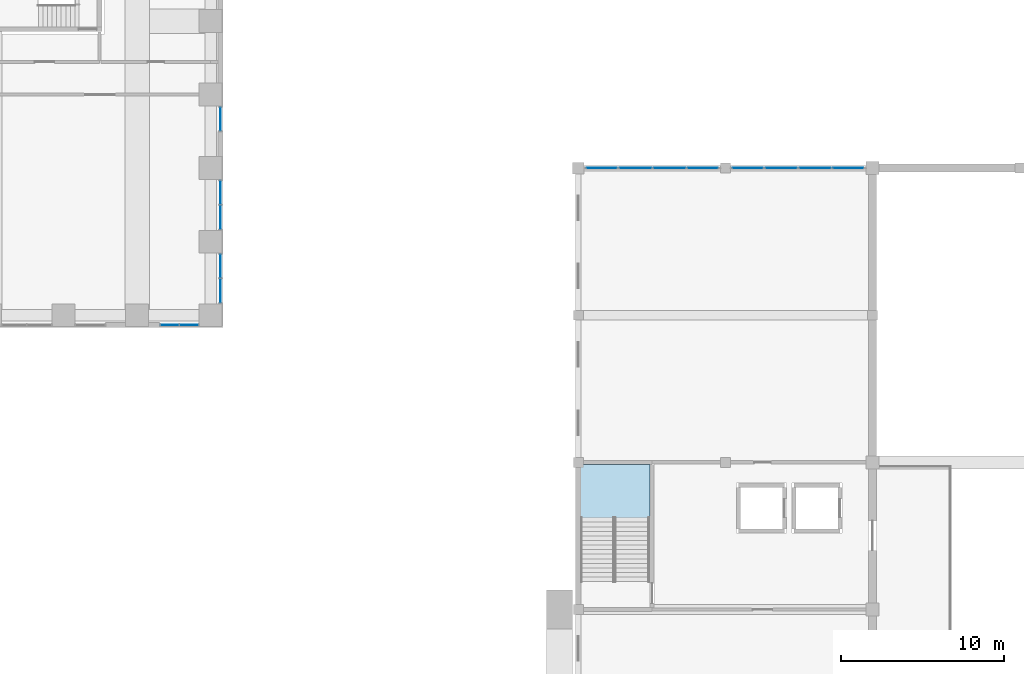
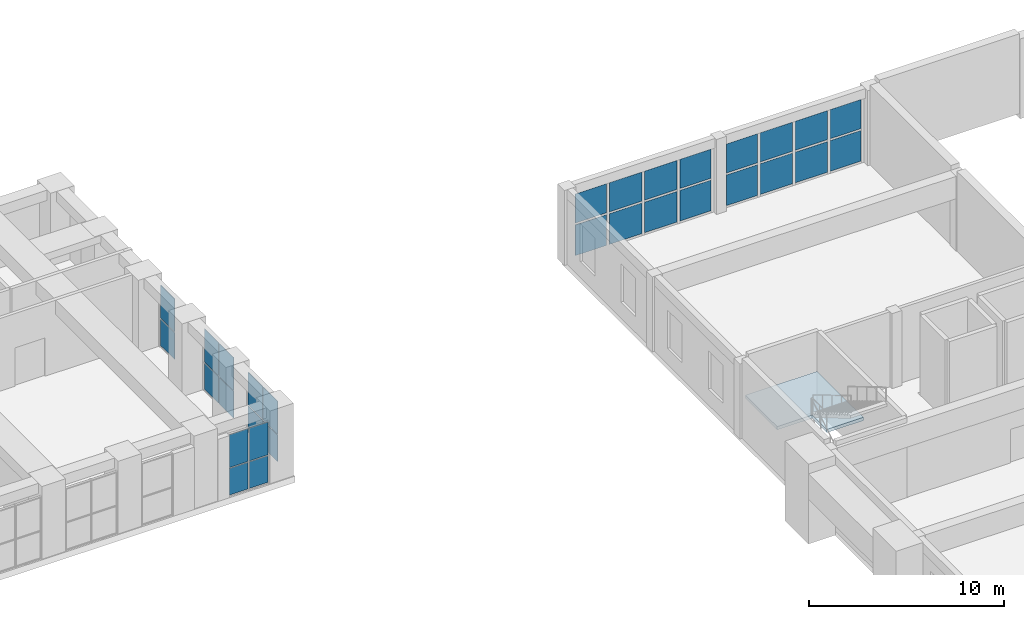
# One storey, part 16 of 34: 30 plates, 1 slab, 7 elements without a shape of their own.
"""IFC4 building model written with IfcOpenShell, lengths in metres."""

from ifc_helpers import new_model, si_unit, direction, frame, origin, origin_2d, place, context, subcontext, project, spatial, polyline, rectangle, outline, extrude, material, layer, layer_set, type_object, element, aggregate, save


model = new_model("IFC4")

# Units and contexts
model_context = context("Model", 3, precision=1e-05, world=origin(), true_north=direction((0.0, 1.0)))
body_context = subcontext(model_context, "Body", "Model", "MODEL_VIEW")
ifc_project = project(units=[si_unit("LENGTHUNIT", "METRE"), si_unit("AREAUNIT", "SQUARE_METRE"), si_unit("VOLUMEUNIT", "CUBIC_METRE"), si_unit("PLANEANGLEUNIT", "RADIAN"), si_unit("MASSUNIT", "GRAM", prefix="KILO")], contexts=[model_context])

# Site, building, storey
site_placement = place(None, origin())
site = spatial("IfcSite", under=ifc_project, at=site_placement, CompositionType="ELEMENT")
building_placement = place(site_placement, origin())
building = spatial("IfcBuilding", under=site, at=building_placement, Name="Firuza Court", CompositionType="ELEMENT")
storey_placement = place(building_placement, frame((0.0, 0.0, 19.0)))
storey = spatial("IfcBuildingStorey", under=building, at=storey_placement, Name="L03", CompositionType="ELEMENT", Elevation=19.0)

# Curtain wall, plates
ifc_material_1 = material(Name="Aluminium", Category="aluminium")
curtain_wall_type_1 = type_object("IfcCurtainWallType", Name="CW6 FOYER CURTAIN WALL", PredefinedType="NOTDEFINED", material=ifc_material_1)
curtain_wall_1_placement = place(storey_placement, origin())
curtain_wall_1 = element("IfcCurtainWall", 1, at=curtain_wall_1_placement, inside=storey, type_object=curtain_wall_type_1, Name="CW6 foyer curtain wall 9", PredefinedType="NOTDEFINED")
ifc_material_2 = material(Name="Glass", Category="glass")
ifc_layer_1 = layer(ifc_material_2, 0.028076171875)
ifc_layer_set_1 = layer_set([ifc_layer_1], Name="Glass")
plate_type_1 = type_object("IfcPlateType", Name="CW6 GLASS PANEL 28", PredefinedType="CURTAIN_PANEL", material=ifc_layer_set_1)
plate_1_placement = place(storey_placement, frame((91.433837890625, 45.0, 0.1201171875), z_axis=(0.0, 0.0, 1.0), x_axis=(1.0, 0.0, 0.0)))
plate_1 = element("IfcPlate", 2, at=plate_1_placement, type_object=plate_type_1, Name="CW6 panel 1.1", PredefinedType="CURTAIN_PANEL", context=body_context, shape_type="SweptSolid", body=[
    extrude(rectangle(XDim=1.847412109375, YDim=0.028076171875, at=origin_2d()), origin(), (0.0, 0.0, 1.0), 1.919921875),
])
plate_2_placement = place(storey_placement, frame((91.433837890625, 45.0, 2.16015625), z_axis=(0.0, 0.0, 1.0), x_axis=(1.0, 0.0, 0.0)))
plate_2 = element("IfcPlate", 3, at=plate_2_placement, type_object=plate_type_1, Name="CW6 panel 1.2", PredefinedType="CURTAIN_PANEL", context=body_context, shape_type="SweptSolid", body=[
    extrude(rectangle(XDim=1.847412109375, YDim=0.028076171875, at=origin_2d()), origin(), (0.0, 0.0, 1.0), 1.820068359375),
])
plate_3_placement = place(storey_placement, frame((93.481201171875, 45.0, 0.1201171875), z_axis=(0.0, 0.0, 1.0), x_axis=(1.0, 0.0, 0.0)))
plate_3 = element("IfcPlate", 4, at=plate_3_placement, type_object=plate_type_1, Name="CW6 panel 2.1", PredefinedType="CURTAIN_PANEL", context=body_context, shape_type="SweptSolid", body=[
    extrude(rectangle(XDim=1.927490234375, YDim=0.028076171875, at=origin_2d()), origin(), (0.0, 0.0, 1.0), 1.919921875),
])
plate_4_placement = place(storey_placement, frame((93.481201171875, 45.0, 2.16015625), z_axis=(0.0, 0.0, 1.0), x_axis=(1.0, 0.0, 0.0)))
plate_4 = element("IfcPlate", 5, at=plate_4_placement, type_object=plate_type_1, Name="CW6 panel 2.2", PredefinedType="CURTAIN_PANEL", context=body_context, shape_type="SweptSolid", body=[
    extrude(rectangle(XDim=1.927490234375, YDim=0.028076171875, at=origin_2d()), origin(), (0.0, 0.0, 1.0), 1.820068359375),
])
plate_5_placement = place(storey_placement, frame((95.56884765625, 45.0, 0.1201171875), z_axis=(0.0, 0.0, 1.0), x_axis=(1.0, 0.0, 0.0)))
plate_5 = element("IfcPlate", 6, at=plate_5_placement, type_object=plate_type_1, Name="CW6 panel 3.1", PredefinedType="CURTAIN_PANEL", context=body_context, shape_type="SweptSolid", body=[
    extrude(rectangle(XDim=1.927490234375, YDim=0.028076171875, at=origin_2d()), origin(), (0.0, 0.0, 1.0), 1.919921875),
])
plate_6_placement = place(storey_placement, frame((95.56884765625, 45.0, 2.16015625), z_axis=(0.0, 0.0, 1.0), x_axis=(1.0, 0.0, 0.0)))
plate_6 = element("IfcPlate", 7, at=plate_6_placement, type_object=plate_type_1, Name="CW6 panel 3.2", PredefinedType="CURTAIN_PANEL", context=body_context, shape_type="SweptSolid", body=[
    extrude(rectangle(XDim=1.927490234375, YDim=0.028076171875, at=origin_2d()), origin(), (0.0, 0.0, 1.0), 1.820068359375),
])
plate_7_placement = place(storey_placement, frame((97.6162109375, 45.0, 0.1201171875), z_axis=(0.0, 0.0, 1.0), x_axis=(1.0, 0.0, 0.0)))
plate_7 = element("IfcPlate", 8, at=plate_7_placement, type_object=plate_type_1, Name="CW6 panel 4.1", PredefinedType="CURTAIN_PANEL", context=body_context, shape_type="SweptSolid", body=[
    extrude(rectangle(XDim=1.847412109375, YDim=0.028076171875, at=origin_2d()), origin(), (0.0, 0.0, 1.0), 1.919921875),
])
plate_8_placement = place(storey_placement, frame((97.6162109375, 45.0, 2.16015625), z_axis=(0.0, 0.0, 1.0), x_axis=(1.0, 0.0, 0.0)))
plate_8 = element("IfcPlate", 9, at=plate_8_placement, type_object=plate_type_1, Name="CW6 panel 4.2", PredefinedType="CURTAIN_PANEL", context=body_context, shape_type="SweptSolid", body=[
    extrude(rectangle(XDim=1.847412109375, YDim=0.028076171875, at=origin_2d()), origin(), (0.0, 0.0, 1.0), 1.820068359375),
])
aggregate(curtain_wall_1, [plate_1, plate_2, plate_3, plate_4, plate_5, plate_6, plate_7, plate_8])

curtain_wall_2_placement = place(storey_placement, origin())
curtain_wall_2 = element("IfcCurtainWall", 10, at=curtain_wall_2_placement, inside=storey, type_object=curtain_wall_type_1, Name="CW6 foyer curtain wall 10", PredefinedType="NOTDEFINED")
plate_9_placement = place(storey_placement, frame((100.37744140625, 45.0, 0.1201171875), z_axis=(0.0, 0.0, 1.0), x_axis=(1.0, 0.0, 0.0)))
plate_9 = element("IfcPlate", 11, at=plate_9_placement, type_object=plate_type_1, Name="CW6 panel 1.1", PredefinedType="CURTAIN_PANEL", context=body_context, shape_type="SweptSolid", body=[
    extrude(rectangle(XDim=1.8349609375, YDim=0.028076171875, at=origin_2d()), origin(), (0.0, 0.0, 1.0), 1.919921875),
])
plate_10_placement = place(storey_placement, frame((100.37744140625, 45.0, 2.16015625), z_axis=(0.0, 0.0, 1.0), x_axis=(1.0, 0.0, 0.0)))
plate_10 = element("IfcPlate", 12, at=plate_10_placement, type_object=plate_type_1, Name="CW6 panel 1.2", PredefinedType="CURTAIN_PANEL", context=body_context, shape_type="SweptSolid", body=[
    extrude(rectangle(XDim=1.8349609375, YDim=0.028076171875, at=origin_2d()), origin(), (0.0, 0.0, 1.0), 1.820068359375),
])
plate_11_placement = place(storey_placement, frame((102.41259765625, 45.0, 0.1201171875), z_axis=(0.0, 0.0, 1.0), x_axis=(1.0, 0.0, 0.0)))
plate_11 = element("IfcPlate", 13, at=plate_11_placement, type_object=plate_type_1, Name="CW6 panel 2.1", PredefinedType="CURTAIN_PANEL", context=body_context, shape_type="SweptSolid", body=[
    extrude(rectangle(XDim=1.9150390625, YDim=0.028076171875, at=origin_2d()), origin(), (0.0, 0.0, 1.0), 1.919921875),
])
plate_12_placement = place(storey_placement, frame((102.41259765625, 45.0, 2.16015625), z_axis=(0.0, 0.0, 1.0), x_axis=(1.0, 0.0, 0.0)))
plate_12 = element("IfcPlate", 14, at=plate_12_placement, type_object=plate_type_1, Name="CW6 panel 2.2", PredefinedType="CURTAIN_PANEL", context=body_context, shape_type="SweptSolid", body=[
    extrude(rectangle(XDim=1.9150390625, YDim=0.028076171875, at=origin_2d()), origin(), (0.0, 0.0, 1.0), 1.820068359375),
])
plate_13_placement = place(storey_placement, frame((104.487548828125, 45.0, 0.1201171875), z_axis=(0.0, 0.0, 1.0), x_axis=(1.0, 0.0, 0.0)))
plate_13 = element("IfcPlate", 15, at=plate_13_placement, type_object=plate_type_1, Name="CW6 panel 3.1", PredefinedType="CURTAIN_PANEL", context=body_context, shape_type="SweptSolid", body=[
    extrude(rectangle(XDim=1.9150390625, YDim=0.028076171875, at=origin_2d()), origin(), (0.0, 0.0, 1.0), 1.919921875),
])
plate_14_placement = place(storey_placement, frame((104.487548828125, 45.0, 2.16015625), z_axis=(0.0, 0.0, 1.0), x_axis=(1.0, 0.0, 0.0)))
plate_14 = element("IfcPlate", 16, at=plate_14_placement, type_object=plate_type_1, Name="CW6 panel 3.2", PredefinedType="CURTAIN_PANEL", context=body_context, shape_type="SweptSolid", body=[
    extrude(rectangle(XDim=1.9150390625, YDim=0.028076171875, at=origin_2d()), origin(), (0.0, 0.0, 1.0), 1.820068359375),
])
plate_15_placement = place(storey_placement, frame((106.5224609375, 45.0, 0.1201171875), z_axis=(0.0, 0.0, 1.0), x_axis=(1.0, 0.0, 0.0)))
plate_15 = element("IfcPlate", 17, at=plate_15_placement, type_object=plate_type_1, Name="CW6 panel 4.1", PredefinedType="CURTAIN_PANEL", context=body_context, shape_type="SweptSolid", body=[
    extrude(rectangle(XDim=1.8349609375, YDim=0.028076171875, at=origin_2d()), origin(), (0.0, 0.0, 1.0), 1.919921875),
])
plate_16_placement = place(storey_placement, frame((106.5224609375, 45.0, 2.16015625), z_axis=(0.0, 0.0, 1.0), x_axis=(1.0, 0.0, 0.0)))
plate_16 = element("IfcPlate", 18, at=plate_16_placement, type_object=plate_type_1, Name="CW6 panel 4.2", PredefinedType="CURTAIN_PANEL", context=body_context, shape_type="SweptSolid", body=[
    extrude(rectangle(XDim=1.8349609375, YDim=0.028076171875, at=origin_2d()), origin(), (0.0, 0.0, 1.0), 1.820068359375),
])
aggregate(curtain_wall_2, [plate_9, plate_10, plate_11, plate_12, plate_13, plate_14, plate_15, plate_16])

ifc_material_3 = material(Name="Aluminium curtain wall, triple clear glazing", Category="aluminium")
curtain_wall_type_2 = type_object("IfcCurtainWallType", Name="Podium unitised curtain wall CW1", PredefinedType="NOTDEFINED", material=ifc_material_3)
curtain_wall_3_placement = place(storey_placement, origin())
curtain_wall_3 = element("IfcCurtainWall", 19, at=curtain_wall_3_placement, inside=storey, type_object=curtain_wall_type_2, Name="Podium unitised curtain wall CW1 L03", PredefinedType="NOTDEFINED")
ifc_material_4 = material(Name="Triple clear glazing", Category="glass")
ifc_layer_2 = layer(ifc_material_4, 0.031982421875)
ifc_layer_set_2 = layer_set([ifc_layer_2], Name="Triple clear glazing")
plate_type_2 = type_object("IfcPlateType", Name="Glazed panel 32 CW1", PredefinedType="CURTAIN_PANEL", material=ifc_layer_set_2)
plate_17_placement = place(storey_placement, frame((64.999755859375, 35.39990234375, 0.06005859375), z_axis=(0.0, 0.0, 1.0), x_axis=(1.0, 0.0, 0.0)))
plate_17 = element("IfcPlate", 20, at=plate_17_placement, type_object=plate_type_2, Name="CW1 panel 1.1", PredefinedType="CURTAIN_PANEL", context=body_context, shape_type="SweptSolid", body=[
    extrude(rectangle(XDim=1.1201171875, YDim=0.031982421875, at=origin_2d()), origin(), (0.0, 0.0, 1.0), 1.6650390625),
])
plate_18_placement = place(storey_placement, frame((64.999755859375, 35.39990234375, 1.78515625), z_axis=(0.0, 0.0, 1.0), x_axis=(1.0, 0.0, 0.0)))
plate_18 = element("IfcPlate", 21, at=plate_18_placement, type_object=plate_type_2, Name="CW1 panel 1.2", PredefinedType="CURTAIN_PANEL", context=body_context, shape_type="SweptSolid", body=[
    extrude(rectangle(XDim=1.1201171875, YDim=0.031982421875, at=origin_2d()), origin(), (0.0, 0.0, 1.0), 2.054931640625),
])
plate_19_placement = place(storey_placement, frame((66.179931640625, 35.39990234375, 0.06005859375), z_axis=(0.0, 0.0, 1.0), x_axis=(1.0, 0.0, 0.0)))
plate_19 = element("IfcPlate", 22, at=plate_19_placement, type_object=plate_type_2, Name="CW1 panel 2.1", PredefinedType="CURTAIN_PANEL", context=body_context, shape_type="SweptSolid", body=[
    extrude(rectangle(XDim=1.1201171875, YDim=0.031982421875, at=origin_2d()), origin(), (0.0, 0.0, 1.0), 1.6650390625),
])
plate_20_placement = place(storey_placement, frame((66.179931640625, 35.39990234375, 1.78515625), z_axis=(0.0, 0.0, 1.0), x_axis=(1.0, 0.0, 0.0)))
plate_20 = element("IfcPlate", 23, at=plate_20_placement, type_object=plate_type_2, Name="CW1 panel 2.2", PredefinedType="CURTAIN_PANEL", context=body_context, shape_type="SweptSolid", body=[
    extrude(rectangle(XDim=1.1201171875, YDim=0.031982421875, at=origin_2d()), origin(), (0.0, 0.0, 1.0), 2.054931640625),
])
aggregate(curtain_wall_3, [plate_17, plate_18, plate_19, plate_20])

curtain_wall_4_placement = place(storey_placement, origin())
curtain_wall_4 = element("IfcCurtainWall", 24, at=curtain_wall_4_placement, inside=storey, type_object=curtain_wall_type_2, Name="Podium unitised curtain wall CW1 L03", PredefinedType="NOTDEFINED")
plate_21_placement = place(storey_placement, frame((68.10009765625, 37.489990234375, 0.06005859375), z_axis=(0.0, 0.0, 1.0), x_axis=(0.0, 1.0, 0.0)))
plate_21 = element("IfcPlate", 25, at=plate_21_placement, type_object=plate_type_2, Name="CW1 panel 1.1", PredefinedType="CURTAIN_PANEL", context=body_context, shape_type="SweptSolid", body=[
    extrude(rectangle(XDim=1.4599609375, YDim=0.031982421875, at=origin_2d()), origin(), (0.0, 0.0, 1.0), 1.6650390625),
])
plate_22_placement = place(storey_placement, frame((68.10009765625, 37.489990234375, 1.78515625), z_axis=(0.0, 0.0, 1.0), x_axis=(0.0, 1.0, 0.0)))
plate_22 = element("IfcPlate", 26, at=plate_22_placement, type_object=plate_type_2, Name="CW1 panel 1.2", PredefinedType="CURTAIN_PANEL", context=body_context, shape_type="SweptSolid", body=[
    extrude(rectangle(XDim=1.4599609375, YDim=0.031982421875, at=origin_2d()), origin(), (0.0, 0.0, 1.0), 2.054931640625),
])
plate_23_placement = place(storey_placement, frame((68.10009765625, 39.010009765625, 0.06005859375), z_axis=(0.0, 0.0, 1.0), x_axis=(0.0, 1.0, 0.0)))
plate_23 = element("IfcPlate", 27, at=plate_23_placement, type_object=plate_type_2, Name="CW1 panel 2.1", PredefinedType="CURTAIN_PANEL", context=body_context, shape_type="SweptSolid", body=[
    extrude(rectangle(XDim=1.4599609375, YDim=0.031982421875, at=origin_2d()), origin(), (0.0, 0.0, 1.0), 1.6650390625),
])
plate_24_placement = place(storey_placement, frame((68.10009765625, 39.010009765625, 1.78515625), z_axis=(0.0, 0.0, 1.0), x_axis=(0.0, 1.0, 0.0)))
plate_24 = element("IfcPlate", 28, at=plate_24_placement, type_object=plate_type_2, Name="CW1 panel 2.2", PredefinedType="CURTAIN_PANEL", context=body_context, shape_type="SweptSolid", body=[
    extrude(rectangle(XDim=1.4599609375, YDim=0.031982421875, at=origin_2d()), origin(), (0.0, 0.0, 1.0), 2.054931640625),
])
aggregate(curtain_wall_4, [plate_21, plate_22, plate_23, plate_24])

curtain_wall_5_placement = place(storey_placement, origin())
curtain_wall_5 = element("IfcCurtainWall", 29, at=curtain_wall_5_placement, inside=storey, type_object=curtain_wall_type_2, Name="Podium unitised curtain wall CW1 L03", PredefinedType="NOTDEFINED")
plate_25_placement = place(storey_placement, frame((68.10009765625, 41.989990234375, 0.06005859375), z_axis=(0.0, 0.0, 1.0), x_axis=(0.0, 1.0, 0.0)))
plate_25 = element("IfcPlate", 30, at=plate_25_placement, type_object=plate_type_2, Name="CW1 panel 1.1", PredefinedType="CURTAIN_PANEL", context=body_context, shape_type="SweptSolid", body=[
    extrude(rectangle(XDim=1.4599609375, YDim=0.031982421875, at=origin_2d()), origin(), (0.0, 0.0, 1.0), 1.6650390625),
])
plate_26_placement = place(storey_placement, frame((68.10009765625, 41.989990234375, 1.78515625), z_axis=(0.0, 0.0, 1.0), x_axis=(0.0, 1.0, 0.0)))
plate_26 = element("IfcPlate", 31, at=plate_26_placement, type_object=plate_type_2, Name="CW1 panel 1.2", PredefinedType="CURTAIN_PANEL", context=body_context, shape_type="SweptSolid", body=[
    extrude(rectangle(XDim=1.4599609375, YDim=0.031982421875, at=origin_2d()), origin(), (0.0, 0.0, 1.0), 2.054931640625),
])
plate_27_placement = place(storey_placement, frame((68.10009765625, 43.510009765625, 0.06005859375), z_axis=(0.0, 0.0, 1.0), x_axis=(0.0, 1.0, 0.0)))
plate_27 = element("IfcPlate", 32, at=plate_27_placement, type_object=plate_type_2, Name="CW1 panel 2.1", PredefinedType="CURTAIN_PANEL", context=body_context, shape_type="SweptSolid", body=[
    extrude(rectangle(XDim=1.4599609375, YDim=0.031982421875, at=origin_2d()), origin(), (0.0, 0.0, 1.0), 1.6650390625),
])
plate_28_placement = place(storey_placement, frame((68.10009765625, 43.510009765625, 1.78515625), z_axis=(0.0, 0.0, 1.0), x_axis=(0.0, 1.0, 0.0)))
plate_28 = element("IfcPlate", 33, at=plate_28_placement, type_object=plate_type_2, Name="CW1 panel 2.2", PredefinedType="CURTAIN_PANEL", context=body_context, shape_type="SweptSolid", body=[
    extrude(rectangle(XDim=1.4599609375, YDim=0.031982421875, at=origin_2d()), origin(), (0.0, 0.0, 1.0), 2.054931640625),
])
aggregate(curtain_wall_5, [plate_25, plate_26, plate_27, plate_28])

curtain_wall_6_placement = place(storey_placement, origin())
curtain_wall_6 = element("IfcCurtainWall", 34, at=curtain_wall_6_placement, inside=storey, type_object=curtain_wall_type_2, Name="Podium unitised curtain wall CW1 L03", PredefinedType="NOTDEFINED")
plate_29_placement = place(storey_placement, frame((68.10009765625, 48.02099609375, 0.06005859375), z_axis=(0.0, 0.0, 1.0), x_axis=(0.0, 1.0, 0.0)))
plate_29 = element("IfcPlate", 35, at=plate_29_placement, type_object=plate_type_2, Name="CW1 panel 1.1", PredefinedType="CURTAIN_PANEL", context=body_context, shape_type="SweptSolid", body=[
    extrude(rectangle(XDim=1.437744140625, YDim=0.031982421875, at=origin_2d()), origin(), (0.0, 0.0, 1.0), 1.6650390625),
])
plate_30_placement = place(storey_placement, frame((68.10009765625, 48.02099609375, 1.78515625), z_axis=(0.0, 0.0, 1.0), x_axis=(0.0, 1.0, 0.0)))
plate_30 = element("IfcPlate", 36, at=plate_30_placement, type_object=plate_type_2, Name="CW1 panel 1.2", PredefinedType="CURTAIN_PANEL", context=body_context, shape_type="SweptSolid", body=[
    extrude(rectangle(XDim=1.437744140625, YDim=0.031982421875, at=origin_2d()), origin(), (0.0, 0.0, 1.0), 2.054931640625),
])
aggregate(curtain_wall_6, [plate_29, plate_30])

# Stair, slab
ifc_material_5 = material(Name="Concrete C40/50", Category="concrete")
stair_type = type_object("IfcStairType", Name="HALL STAIR", PredefinedType="NOTDEFINED", material=ifc_material_5)
stair_placement = place(storey_placement, origin())
stair = element("IfcStair", 37, at=stair_placement, inside=storey, type_object=stair_type, Name="Stair H3 L03", PredefinedType="NOTDEFINED")
ifc_material_6 = material(Name="Concrete C40/50", Category="concrete")
ifc_layer_3 = layer(ifc_material_6, 0.199951171875)
ifc_layer_set_3 = layer_set([ifc_layer_3], Name="Concrete C40/50")
slab_type = type_object("IfcSlabType", Name="HALL STAIR LANDING 200", PredefinedType="LANDING", material=ifc_layer_set_3)
slab_placement = place(storey_placement, frame((0.0, 0.0, 2.300048828125)))
slab = element("IfcSlab", 38, at=slab_placement, type_object=slab_type, Name="HS-3 landing 1", PredefinedType="LANDING", context=body_context, shape_type="SweptSolid", body=[
    extrude(outline(polyline([(90.125, 23.610107421875), (92.199951171875, 23.610107421875), (92.199951171875, 22.1201171875), (94.375, 22.1201171875), (94.375, 26.875), (90.125, 26.875), (90.125, 23.610107421875)])), origin(), (0.0, 0.0, 1.0), 0.199951171875),
])
aggregate(stair, [slab])

save(model, "model.ifc")
